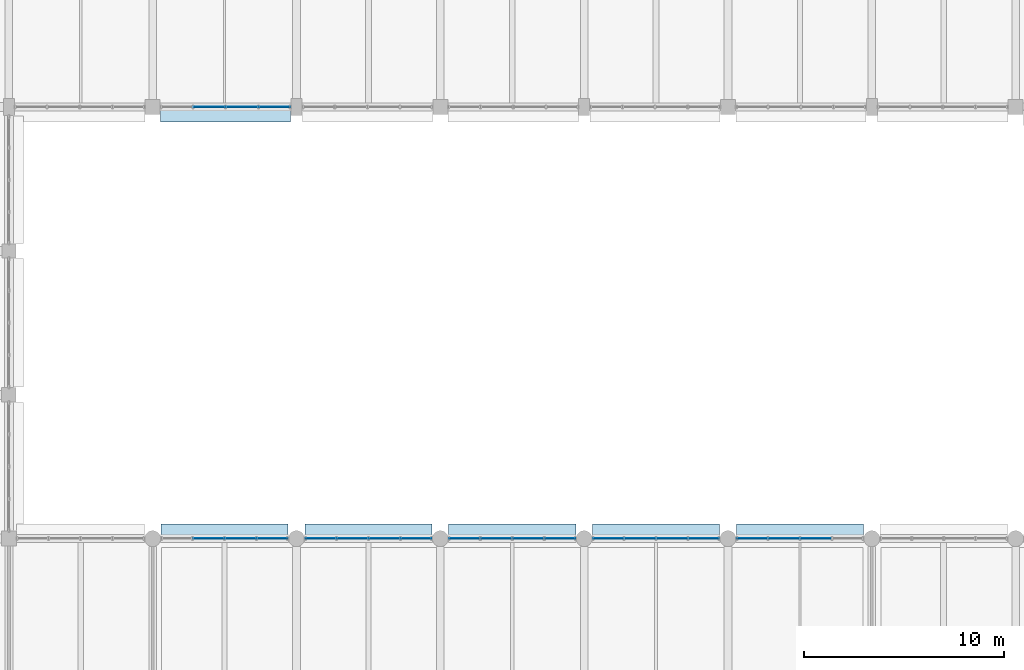
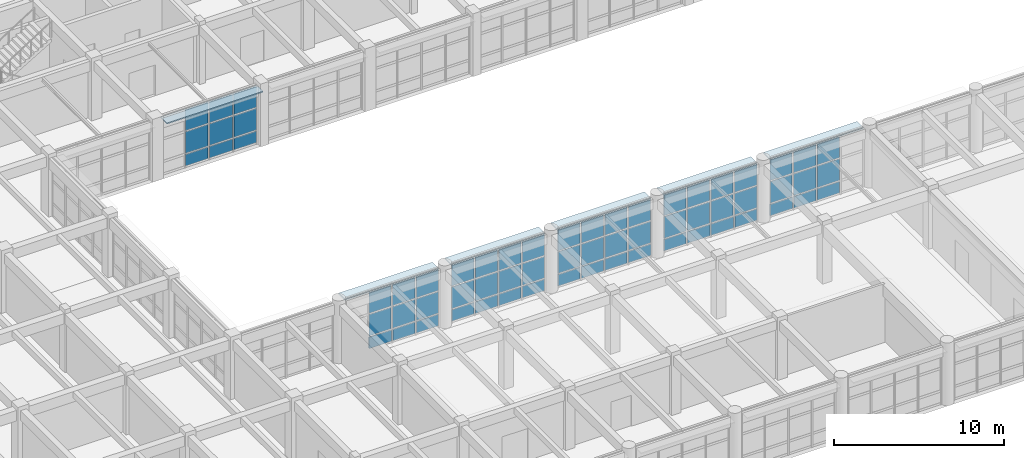
# One storey, part 131 of 171: 69 plates, 6 elements without a shape of their own.
"""IFC4 building model written with IfcOpenShell, lengths in metres."""

from ifc_helpers import new_model, si_unit, direction, frame, origin, origin_2d, place, context, subcontext, project, spatial, rectangle, extrude, material, layer, layer_set, type_object, element, aggregate, save


model = new_model("IFC4")

# Units and contexts
model_context = context("Model", 3, precision=1e-05, world=origin(), true_north=direction((0.0, 1.0)))
body_context = subcontext(model_context, "Body", "Model", "MODEL_VIEW")
ifc_project = project(units=[si_unit("LENGTHUNIT", "METRE"), si_unit("AREAUNIT", "SQUARE_METRE"), si_unit("VOLUMEUNIT", "CUBIC_METRE"), si_unit("PLANEANGLEUNIT", "RADIAN"), si_unit("MASSUNIT", "GRAM", prefix="KILO")], contexts=[model_context])

# Site, building, storey
site_placement = place(None, origin())
site = spatial("IfcSite", under=ifc_project, at=site_placement, CompositionType="ELEMENT")
building_placement = place(site_placement, origin())
building = spatial("IfcBuilding", under=site, at=building_placement, Name="Thalmaran Polytechnic", CompositionType="ELEMENT")
storey_placement = place(building_placement, frame((0.0, 0.0, 5.39990234375)))
storey = spatial("IfcBuildingStorey", under=building, at=storey_placement, Name="L01", CompositionType="ELEMENT", Elevation=5.39990234375)

# Plates
ifc_material_1 = material(Name="Anodised aluminium sun-hood eyebrow", Category="aluminium")
ifc_layer_1 = layer(ifc_material_1, 0.0849609375, Name="Anodised aluminium sun-hood eyebrow")
ifc_layer_set_1 = layer_set([ifc_layer_1], Name="Anodised aluminium sun-hood eyebrow")
plate_type_1 = type_object("IfcPlateType", Name="PT-EB01", PredefinedType="SHEET", material=ifc_layer_set_1)
plate_1_placement = place(storey_placement, frame((32.449951171875, 93.239990234375, 4.107666015625), z_axis=(0.0, 0.0, 1.0), x_axis=(-1.0, 0.0, 0.0)))
element("IfcPlate", 1, at=plate_1_placement, inside=storey, type_object=plate_type_1, Name="Streamline Sun-Hood Eyebrow L01-CW134", PredefinedType="SHEET", context=body_context, shape_type="SweptSolid", body=[
    extrude(rectangle(XDim=6.510009765625, YDim=0.760009765625, at=origin_2d()), origin(), (0.0, 0.0, 1.0), 0.0849609375),
])
for number, where, z_axis, x_axis, name in (
    (2, (32.39990234375, 72.360107421875, 4.107666015625), (0.0, 0.0, 1.0), (1.0, 0.0, 0.0), "Streamline Sun-Hood Eyebrow L01-CW140"),
    (3, (39.60009765625, 72.360107421875, 4.107666015625), (0.0, 0.0, 1.0), (1.0, 0.0, 0.0), "Streamline Sun-Hood Eyebrow L01-CW141"),
    (4, (46.800048828125, 72.360107421875, 4.107666015625), (0.0, 0.0, 1.0), (1.0, 0.0, 0.0), "Streamline Sun-Hood Eyebrow L01-CW142"),
    (5, (54.0, 72.360107421875, 4.107666015625), (0.0, 0.0, 1.0), (1.0, 0.0, 0.0), "Streamline Sun-Hood Eyebrow L01-CW143"),
    (6, (61.199951171875, 72.360107421875, 4.107666015625), (0.0, 0.0, 1.0), (1.0, 0.0, 0.0), "Streamline Sun-Hood Eyebrow L01-CW144"),
):
    element("IfcPlate", number, at=place(storey_placement, frame(where, z_axis=z_axis, x_axis=x_axis)), inside=storey, type_object=plate_type_1, Name=name, PredefinedType="SHEET", context=body_context, shape_type="SweptSolid", body=[
        extrude(rectangle(XDim=6.360107421875, YDim=0.760009765625, at=origin_2d()), origin(), (0.0, 0.0, 1.0), 0.0849609375),
    ])

# Curtain wall, plates
ifc_material_2 = material(Name="Aluminium 6063-T6", Category="aluminium")
curtain_wall_type_1 = type_object("IfcCurtainWallType", Name="CW-SC01", PredefinedType="USERDEFINED", material=ifc_material_2)
curtain_wall_1_placement = place(storey_placement, origin())
curtain_wall_1 = element("IfcCurtainWall", 7, at=curtain_wall_1_placement, inside=storey, type_object=curtain_wall_type_1, Name="Curtain Wall CW-L01-140", ObjectType="STICK CURTAIN WALL", PredefinedType="USERDEFINED")
ifc_material_3 = material(Name="Solar-control double low-E glass", Category="glass")
ifc_layer_2 = layer(ifc_material_3, 0.035888671875, Name="Solar-control double low-E glass")
ifc_layer_set_2 = layer_set([ifc_layer_2], Name="Solar-control double low-E glass")
plate_type_2 = type_object("IfcPlateType", Name="PT-GL01", PredefinedType="CURTAIN_PANEL", material=ifc_layer_set_2)
plate_2_placement = place(storey_placement, frame((31.60009765625, 72.0, 1.000244140625), z_axis=(0.0, 0.0, 1.0), x_axis=(1.0, 0.0, 0.0)))
plate_2 = element("IfcPlate", 8, at=plate_2_placement, type_object=plate_type_2, Name="CW-L01-140 Vision Panel 2-2", PredefinedType="CURTAIN_PANEL", context=body_context, shape_type="SweptSolid", body=[
    extrude(rectangle(XDim=1.5, YDim=0.035888671875, at=origin_2d()), origin(), (0.0, 0.0, 1.0), 1.544921875),
])
plate_3_placement = place(storey_placement, frame((31.60009765625, 72.0, 2.625), z_axis=(0.0, 0.0, 1.0), x_axis=(1.0, 0.0, 0.0)))
plate_3 = element("IfcPlate", 9, at=plate_3_placement, type_object=plate_type_2, Name="CW-L01-140 Vision Panel 2-3", PredefinedType="CURTAIN_PANEL", context=body_context, shape_type="SweptSolid", body=[
    extrude(rectangle(XDim=1.5, YDim=0.035888671875, at=origin_2d()), origin(), (0.0, 0.0, 1.0), 1.485107421875),
])
plate_4_placement = place(storey_placement, frame((33.199951171875, 72.0, 1.000244140625), z_axis=(0.0, 0.0, 1.0), x_axis=(1.0, 0.0, 0.0)))
plate_4 = element("IfcPlate", 10, at=plate_4_placement, type_object=plate_type_2, Name="CW-L01-140 Vision Panel 3-2", PredefinedType="CURTAIN_PANEL", context=body_context, shape_type="SweptSolid", body=[
    extrude(rectangle(XDim=1.5, YDim=0.035888671875, at=origin_2d()), origin(), (0.0, 0.0, 1.0), 1.544921875),
])
plate_5_placement = place(storey_placement, frame((33.199951171875, 72.0, 2.625), z_axis=(0.0, 0.0, 1.0), x_axis=(1.0, 0.0, 0.0)))
plate_5 = element("IfcPlate", 11, at=plate_5_placement, type_object=plate_type_2, Name="CW-L01-140 Vision Panel 3-3", PredefinedType="CURTAIN_PANEL", context=body_context, shape_type="SweptSolid", body=[
    extrude(rectangle(XDim=1.5, YDim=0.035888671875, at=origin_2d()), origin(), (0.0, 0.0, 1.0), 1.485107421875),
])
plate_6_placement = place(storey_placement, frame((34.800048828125, 72.0, 1.000244140625), z_axis=(0.0, 0.0, 1.0), x_axis=(1.0, 0.0, 0.0)))
plate_6 = element("IfcPlate", 12, at=plate_6_placement, type_object=plate_type_2, Name="CW-L01-140 Vision Panel 4-2", PredefinedType="CURTAIN_PANEL", context=body_context, shape_type="SweptSolid", body=[
    extrude(rectangle(XDim=1.5, YDim=0.035888671875, at=origin_2d()), origin(), (0.0, 0.0, 1.0), 1.544921875),
])
plate_7_placement = place(storey_placement, frame((34.800048828125, 72.0, 2.625), z_axis=(0.0, 0.0, 1.0), x_axis=(1.0, 0.0, 0.0)))
plate_7 = element("IfcPlate", 13, at=plate_7_placement, type_object=plate_type_2, Name="CW-L01-140 Vision Panel 4-3", PredefinedType="CURTAIN_PANEL", context=body_context, shape_type="SweptSolid", body=[
    extrude(rectangle(XDim=1.5, YDim=0.035888671875, at=origin_2d()), origin(), (0.0, 0.0, 1.0), 1.485107421875),
])

curtain_wall_2_placement = place(storey_placement, origin())
curtain_wall_2 = element("IfcCurtainWall", 14, at=curtain_wall_2_placement, inside=storey, type_object=curtain_wall_type_1, Name="Curtain Wall CW-L01-141", ObjectType="STICK CURTAIN WALL", PredefinedType="USERDEFINED")
ifc_layer_3 = layer(ifc_material_3, 0.035888671875, Name="Solar-control double low-E glass")
ifc_layer_set_3 = layer_set([ifc_layer_3], Name="Solar-control double low-E glass")
plate_type_3 = type_object("IfcPlateType", Name="PT-GL02", PredefinedType="CURTAIN_PANEL", material=ifc_layer_set_3)
plate_8_placement = place(storey_placement, frame((37.199951171875, 72.0, 1.000244140625), z_axis=(0.0, 0.0, 1.0), x_axis=(1.0, 0.0, 0.0)))
plate_8 = element("IfcPlate", 15, at=plate_8_placement, type_object=plate_type_3, Name="CW-L01-141 Vision Panel 1-2", PredefinedType="CURTAIN_PANEL", context=body_context, shape_type="SweptSolid", body=[
    extrude(rectangle(XDim=1.5, YDim=0.035888671875, at=origin_2d()), origin(), (0.0, 0.0, 1.0), 1.544921875),
])
plate_9_placement = place(storey_placement, frame((37.199951171875, 72.0, 2.625), z_axis=(0.0, 0.0, 1.0), x_axis=(1.0, 0.0, 0.0)))
plate_9 = element("IfcPlate", 16, at=plate_9_placement, type_object=plate_type_3, Name="CW-L01-141 Vision Panel 1-3", PredefinedType="CURTAIN_PANEL", context=body_context, shape_type="SweptSolid", body=[
    extrude(rectangle(XDim=1.5, YDim=0.035888671875, at=origin_2d()), origin(), (0.0, 0.0, 1.0), 1.485107421875),
])
plate_10_placement = place(storey_placement, frame((38.800048828125, 72.0, 1.000244140625), z_axis=(0.0, 0.0, 1.0), x_axis=(1.0, 0.0, 0.0)))
plate_10 = element("IfcPlate", 17, at=plate_10_placement, type_object=plate_type_3, Name="CW-L01-141 Vision Panel 2-2", PredefinedType="CURTAIN_PANEL", context=body_context, shape_type="SweptSolid", body=[
    extrude(rectangle(XDim=1.5, YDim=0.035888671875, at=origin_2d()), origin(), (0.0, 0.0, 1.0), 1.544921875),
])
plate_11_placement = place(storey_placement, frame((38.800048828125, 72.0, 2.625), z_axis=(0.0, 0.0, 1.0), x_axis=(1.0, 0.0, 0.0)))
plate_11 = element("IfcPlate", 18, at=plate_11_placement, type_object=plate_type_3, Name="CW-L01-141 Vision Panel 2-3", PredefinedType="CURTAIN_PANEL", context=body_context, shape_type="SweptSolid", body=[
    extrude(rectangle(XDim=1.5, YDim=0.035888671875, at=origin_2d()), origin(), (0.0, 0.0, 1.0), 1.485107421875),
])
plate_12_placement = place(storey_placement, frame((40.39990234375, 72.0, 1.000244140625), z_axis=(0.0, 0.0, 1.0), x_axis=(1.0, 0.0, 0.0)))
plate_12 = element("IfcPlate", 19, at=plate_12_placement, type_object=plate_type_3, Name="CW-L01-141 Vision Panel 3-2", PredefinedType="CURTAIN_PANEL", context=body_context, shape_type="SweptSolid", body=[
    extrude(rectangle(XDim=1.5, YDim=0.035888671875, at=origin_2d()), origin(), (0.0, 0.0, 1.0), 1.544921875),
])
plate_13_placement = place(storey_placement, frame((40.39990234375, 72.0, 2.625), z_axis=(0.0, 0.0, 1.0), x_axis=(1.0, 0.0, 0.0)))
plate_13 = element("IfcPlate", 20, at=plate_13_placement, type_object=plate_type_3, Name="CW-L01-141 Vision Panel 3-3", PredefinedType="CURTAIN_PANEL", context=body_context, shape_type="SweptSolid", body=[
    extrude(rectangle(XDim=1.5, YDim=0.035888671875, at=origin_2d()), origin(), (0.0, 0.0, 1.0), 1.485107421875),
])
plate_14_placement = place(storey_placement, frame((42.0, 72.0, 1.000244140625), z_axis=(0.0, 0.0, 1.0), x_axis=(1.0, 0.0, 0.0)))
plate_14 = element("IfcPlate", 21, at=plate_14_placement, type_object=plate_type_3, Name="CW-L01-141 Vision Panel 4-2", PredefinedType="CURTAIN_PANEL", context=body_context, shape_type="SweptSolid", body=[
    extrude(rectangle(XDim=1.5, YDim=0.035888671875, at=origin_2d()), origin(), (0.0, 0.0, 1.0), 1.544921875),
])
plate_15_placement = place(storey_placement, frame((42.0, 72.0, 2.625), z_axis=(0.0, 0.0, 1.0), x_axis=(1.0, 0.0, 0.0)))
plate_15 = element("IfcPlate", 22, at=plate_15_placement, type_object=plate_type_3, Name="CW-L01-141 Vision Panel 4-3", PredefinedType="CURTAIN_PANEL", context=body_context, shape_type="SweptSolid", body=[
    extrude(rectangle(XDim=1.5, YDim=0.035888671875, at=origin_2d()), origin(), (0.0, 0.0, 1.0), 1.485107421875),
])

curtain_wall_3_placement = place(storey_placement, origin())
curtain_wall_3 = element("IfcCurtainWall", 23, at=curtain_wall_3_placement, inside=storey, type_object=curtain_wall_type_1, Name="Curtain Wall CW-L01-142", ObjectType="STICK CURTAIN WALL", PredefinedType="USERDEFINED")
ifc_layer_4 = layer(ifc_material_3, 0.035888671875, Name="Solar-control double low-E glass")
ifc_layer_set_4 = layer_set([ifc_layer_4], Name="Solar-control double low-E glass")
plate_type_4 = type_object("IfcPlateType", Name="PT-GL03", PredefinedType="CURTAIN_PANEL", material=ifc_layer_set_4)
plate_16_placement = place(storey_placement, frame((44.39990234375, 72.0, 1.000244140625), z_axis=(0.0, 0.0, 1.0), x_axis=(1.0, 0.0, 0.0)))
plate_16 = element("IfcPlate", 24, at=plate_16_placement, type_object=plate_type_4, Name="CW-L01-142 Vision Panel 1-2", PredefinedType="CURTAIN_PANEL", context=body_context, shape_type="SweptSolid", body=[
    extrude(rectangle(XDim=1.5, YDim=0.035888671875, at=origin_2d()), origin(), (0.0, 0.0, 1.0), 1.544921875),
])
plate_17_placement = place(storey_placement, frame((44.39990234375, 72.0, 2.625), z_axis=(0.0, 0.0, 1.0), x_axis=(1.0, 0.0, 0.0)))
plate_17 = element("IfcPlate", 25, at=plate_17_placement, type_object=plate_type_4, Name="CW-L01-142 Vision Panel 1-3", PredefinedType="CURTAIN_PANEL", context=body_context, shape_type="SweptSolid", body=[
    extrude(rectangle(XDim=1.5, YDim=0.035888671875, at=origin_2d()), origin(), (0.0, 0.0, 1.0), 1.485107421875),
])
plate_18_placement = place(storey_placement, frame((46.0, 72.0, 1.000244140625), z_axis=(0.0, 0.0, 1.0), x_axis=(1.0, 0.0, 0.0)))
plate_18 = element("IfcPlate", 26, at=plate_18_placement, type_object=plate_type_4, Name="CW-L01-142 Vision Panel 2-2", PredefinedType="CURTAIN_PANEL", context=body_context, shape_type="SweptSolid", body=[
    extrude(rectangle(XDim=1.5, YDim=0.035888671875, at=origin_2d()), origin(), (0.0, 0.0, 1.0), 1.544921875),
])
plate_19_placement = place(storey_placement, frame((46.0, 72.0, 2.625), z_axis=(0.0, 0.0, 1.0), x_axis=(1.0, 0.0, 0.0)))
plate_19 = element("IfcPlate", 27, at=plate_19_placement, type_object=plate_type_4, Name="CW-L01-142 Vision Panel 2-3", PredefinedType="CURTAIN_PANEL", context=body_context, shape_type="SweptSolid", body=[
    extrude(rectangle(XDim=1.5, YDim=0.035888671875, at=origin_2d()), origin(), (0.0, 0.0, 1.0), 1.485107421875),
])
plate_20_placement = place(storey_placement, frame((47.60009765625, 72.0, 1.000244140625), z_axis=(0.0, 0.0, 1.0), x_axis=(1.0, 0.0, 0.0)))
plate_20 = element("IfcPlate", 28, at=plate_20_placement, type_object=plate_type_4, Name="CW-L01-142 Vision Panel 3-2", PredefinedType="CURTAIN_PANEL", context=body_context, shape_type="SweptSolid", body=[
    extrude(rectangle(XDim=1.5, YDim=0.035888671875, at=origin_2d()), origin(), (0.0, 0.0, 1.0), 1.544921875),
])
plate_21_placement = place(storey_placement, frame((47.60009765625, 72.0, 2.625), z_axis=(0.0, 0.0, 1.0), x_axis=(1.0, 0.0, 0.0)))
plate_21 = element("IfcPlate", 29, at=plate_21_placement, type_object=plate_type_4, Name="CW-L01-142 Vision Panel 3-3", PredefinedType="CURTAIN_PANEL", context=body_context, shape_type="SweptSolid", body=[
    extrude(rectangle(XDim=1.5, YDim=0.035888671875, at=origin_2d()), origin(), (0.0, 0.0, 1.0), 1.485107421875),
])
plate_22_placement = place(storey_placement, frame((49.199951171875, 72.0, 1.000244140625), z_axis=(0.0, 0.0, 1.0), x_axis=(1.0, 0.0, 0.0)))
plate_22 = element("IfcPlate", 30, at=plate_22_placement, type_object=plate_type_4, Name="CW-L01-142 Vision Panel 4-2", PredefinedType="CURTAIN_PANEL", context=body_context, shape_type="SweptSolid", body=[
    extrude(rectangle(XDim=1.5, YDim=0.035888671875, at=origin_2d()), origin(), (0.0, 0.0, 1.0), 1.544921875),
])
plate_23_placement = place(storey_placement, frame((49.199951171875, 72.0, 2.625), z_axis=(0.0, 0.0, 1.0), x_axis=(1.0, 0.0, 0.0)))
plate_23 = element("IfcPlate", 31, at=plate_23_placement, type_object=plate_type_4, Name="CW-L01-142 Vision Panel 4-3", PredefinedType="CURTAIN_PANEL", context=body_context, shape_type="SweptSolid", body=[
    extrude(rectangle(XDim=1.5, YDim=0.035888671875, at=origin_2d()), origin(), (0.0, 0.0, 1.0), 1.485107421875),
])

curtain_wall_4_placement = place(storey_placement, origin())
curtain_wall_4 = element("IfcCurtainWall", 32, at=curtain_wall_4_placement, inside=storey, type_object=curtain_wall_type_1, Name="Curtain Wall CW-L01-143", ObjectType="STICK CURTAIN WALL", PredefinedType="USERDEFINED")
ifc_layer_5 = layer(ifc_material_3, 0.035888671875, Name="Solar-control double low-E glass")
ifc_layer_set_5 = layer_set([ifc_layer_5], Name="Solar-control double low-E glass")
plate_type_5 = type_object("IfcPlateType", Name="PT-GL04", PredefinedType="CURTAIN_PANEL", material=ifc_layer_set_5)
plate_24_placement = place(storey_placement, frame((51.60009765625, 72.0, 1.000244140625), z_axis=(0.0, 0.0, 1.0), x_axis=(1.0, 0.0, 0.0)))
plate_24 = element("IfcPlate", 33, at=plate_24_placement, type_object=plate_type_5, Name="CW-L01-143 Vision Panel 1-2", PredefinedType="CURTAIN_PANEL", context=body_context, shape_type="SweptSolid", body=[
    extrude(rectangle(XDim=1.5, YDim=0.035888671875, at=origin_2d()), origin(), (0.0, 0.0, 1.0), 1.544921875),
])
plate_25_placement = place(storey_placement, frame((51.60009765625, 72.0, 2.625), z_axis=(0.0, 0.0, 1.0), x_axis=(1.0, 0.0, 0.0)))
plate_25 = element("IfcPlate", 34, at=plate_25_placement, type_object=plate_type_5, Name="CW-L01-143 Vision Panel 1-3", PredefinedType="CURTAIN_PANEL", context=body_context, shape_type="SweptSolid", body=[
    extrude(rectangle(XDim=1.5, YDim=0.035888671875, at=origin_2d()), origin(), (0.0, 0.0, 1.0), 1.485107421875),
])
plate_26_placement = place(storey_placement, frame((53.199951171875, 72.0, 1.000244140625), z_axis=(0.0, 0.0, 1.0), x_axis=(1.0, 0.0, 0.0)))
plate_26 = element("IfcPlate", 35, at=plate_26_placement, type_object=plate_type_5, Name="CW-L01-143 Vision Panel 2-2", PredefinedType="CURTAIN_PANEL", context=body_context, shape_type="SweptSolid", body=[
    extrude(rectangle(XDim=1.5, YDim=0.035888671875, at=origin_2d()), origin(), (0.0, 0.0, 1.0), 1.544921875),
])
plate_27_placement = place(storey_placement, frame((53.199951171875, 72.0, 2.625), z_axis=(0.0, 0.0, 1.0), x_axis=(1.0, 0.0, 0.0)))
plate_27 = element("IfcPlate", 36, at=plate_27_placement, type_object=plate_type_5, Name="CW-L01-143 Vision Panel 2-3", PredefinedType="CURTAIN_PANEL", context=body_context, shape_type="SweptSolid", body=[
    extrude(rectangle(XDim=1.5, YDim=0.035888671875, at=origin_2d()), origin(), (0.0, 0.0, 1.0), 1.485107421875),
])
plate_28_placement = place(storey_placement, frame((54.800048828125, 72.0, 1.000244140625), z_axis=(0.0, 0.0, 1.0), x_axis=(1.0, 0.0, 0.0)))
plate_28 = element("IfcPlate", 37, at=plate_28_placement, type_object=plate_type_5, Name="CW-L01-143 Vision Panel 3-2", PredefinedType="CURTAIN_PANEL", context=body_context, shape_type="SweptSolid", body=[
    extrude(rectangle(XDim=1.5, YDim=0.035888671875, at=origin_2d()), origin(), (0.0, 0.0, 1.0), 1.544921875),
])
plate_29_placement = place(storey_placement, frame((54.800048828125, 72.0, 2.625), z_axis=(0.0, 0.0, 1.0), x_axis=(1.0, 0.0, 0.0)))
plate_29 = element("IfcPlate", 38, at=plate_29_placement, type_object=plate_type_5, Name="CW-L01-143 Vision Panel 3-3", PredefinedType="CURTAIN_PANEL", context=body_context, shape_type="SweptSolid", body=[
    extrude(rectangle(XDim=1.5, YDim=0.035888671875, at=origin_2d()), origin(), (0.0, 0.0, 1.0), 1.485107421875),
])
plate_30_placement = place(storey_placement, frame((56.39990234375, 72.0, 1.000244140625), z_axis=(0.0, 0.0, 1.0), x_axis=(1.0, 0.0, 0.0)))
plate_30 = element("IfcPlate", 39, at=plate_30_placement, type_object=plate_type_5, Name="CW-L01-143 Vision Panel 4-2", PredefinedType="CURTAIN_PANEL", context=body_context, shape_type="SweptSolid", body=[
    extrude(rectangle(XDim=1.5, YDim=0.035888671875, at=origin_2d()), origin(), (0.0, 0.0, 1.0), 1.544921875),
])
plate_31_placement = place(storey_placement, frame((56.39990234375, 72.0, 2.625), z_axis=(0.0, 0.0, 1.0), x_axis=(1.0, 0.0, 0.0)))
plate_31 = element("IfcPlate", 40, at=plate_31_placement, type_object=plate_type_5, Name="CW-L01-143 Vision Panel 4-3", PredefinedType="CURTAIN_PANEL", context=body_context, shape_type="SweptSolid", body=[
    extrude(rectangle(XDim=1.5, YDim=0.035888671875, at=origin_2d()), origin(), (0.0, 0.0, 1.0), 1.485107421875),
])

curtain_wall_type_2 = type_object("IfcCurtainWallType", Name="CW-UC02", PredefinedType="USERDEFINED", material=ifc_material_2)
curtain_wall_5_placement = place(storey_placement, origin())
curtain_wall_5 = element("IfcCurtainWall", 41, at=curtain_wall_5_placement, inside=storey, type_object=curtain_wall_type_2, Name="Curtain Wall CW-L01-134", ObjectType="UNITISED CURTAIN WALL", PredefinedType="USERDEFINED")
ifc_layer_6 = layer(ifc_material_3, 0.035888671875, Name="Solar-control double low-E glass")
ifc_layer_set_6 = layer_set([ifc_layer_6], Name="Solar-control double low-E glass")
plate_type_6 = type_object("IfcPlateType", Name="PT-GL05", PredefinedType="CURTAIN_PANEL", material=ifc_layer_set_6)
plate_32_placement = place(storey_placement, frame((34.90625, 93.60009765625, 1.000244140625), z_axis=(0.0, 0.0, 1.0), x_axis=(-1.0, 0.0, 0.0)))
plate_32 = element("IfcPlate", 42, at=plate_32_placement, type_object=plate_type_6, Name="CW-L01-134 Vision Panel 1-2", PredefinedType="CURTAIN_PANEL", context=body_context, shape_type="SweptSolid", body=[
    extrude(rectangle(XDim=1.53759765625, YDim=0.035888671875, at=origin_2d()), origin(), (0.0, 0.0, 1.0), 1.544921875),
])
plate_33_placement = place(storey_placement, frame((34.90625, 93.60009765625, 2.625), z_axis=(0.0, 0.0, 1.0), x_axis=(-1.0, 0.0, 0.0)))
plate_33 = element("IfcPlate", 43, at=plate_33_placement, type_object=plate_type_6, Name="CW-L01-134 Vision Panel 1-3", PredefinedType="CURTAIN_PANEL", context=body_context, shape_type="SweptSolid", body=[
    extrude(rectangle(XDim=1.53759765625, YDim=0.035888671875, at=origin_2d()), origin(), (0.0, 0.0, 1.0), 1.485107421875),
])
plate_34_placement = place(storey_placement, frame((33.268798828125, 93.60009765625, 1.000244140625), z_axis=(0.0, 0.0, 1.0), x_axis=(-1.0, 0.0, 0.0)))
plate_34 = element("IfcPlate", 44, at=plate_34_placement, type_object=plate_type_6, Name="CW-L01-134 Vision Panel 2-2", PredefinedType="CURTAIN_PANEL", context=body_context, shape_type="SweptSolid", body=[
    extrude(rectangle(XDim=1.53759765625, YDim=0.035888671875, at=origin_2d()), origin(), (0.0, 0.0, 1.0), 1.544921875),
])
plate_35_placement = place(storey_placement, frame((33.268798828125, 93.60009765625, 2.625), z_axis=(0.0, 0.0, 1.0), x_axis=(-1.0, 0.0, 0.0)))
plate_35 = element("IfcPlate", 45, at=plate_35_placement, type_object=plate_type_6, Name="CW-L01-134 Vision Panel 2-3", PredefinedType="CURTAIN_PANEL", context=body_context, shape_type="SweptSolid", body=[
    extrude(rectangle(XDim=1.53759765625, YDim=0.035888671875, at=origin_2d()), origin(), (0.0, 0.0, 1.0), 1.485107421875),
])
plate_36_placement = place(storey_placement, frame((31.63134765625, 93.60009765625, 1.000244140625), z_axis=(0.0, 0.0, 1.0), x_axis=(-1.0, 0.0, 0.0)))
plate_36 = element("IfcPlate", 46, at=plate_36_placement, type_object=plate_type_6, Name="CW-L01-134 Vision Panel 3-2", PredefinedType="CURTAIN_PANEL", context=body_context, shape_type="SweptSolid", body=[
    extrude(rectangle(XDim=1.53759765625, YDim=0.035888671875, at=origin_2d()), origin(), (0.0, 0.0, 1.0), 1.544921875),
])
plate_37_placement = place(storey_placement, frame((31.63134765625, 93.60009765625, 2.625), z_axis=(0.0, 0.0, 1.0), x_axis=(-1.0, 0.0, 0.0)))
plate_37 = element("IfcPlate", 47, at=plate_37_placement, type_object=plate_type_6, Name="CW-L01-134 Vision Panel 3-3", PredefinedType="CURTAIN_PANEL", context=body_context, shape_type="SweptSolid", body=[
    extrude(rectangle(XDim=1.53759765625, YDim=0.035888671875, at=origin_2d()), origin(), (0.0, 0.0, 1.0), 1.485107421875),
])

curtain_wall_6_placement = place(storey_placement, origin())
curtain_wall_6 = element("IfcCurtainWall", 48, at=curtain_wall_6_placement, inside=storey, type_object=curtain_wall_type_1, Name="Curtain Wall CW-L01-144", ObjectType="STICK CURTAIN WALL", PredefinedType="USERDEFINED")
plate_38_placement = place(storey_placement, frame((58.800048828125, 72.0, 1.000244140625), z_axis=(0.0, 0.0, 1.0), x_axis=(1.0, 0.0, 0.0)))
plate_38 = element("IfcPlate", 49, at=plate_38_placement, type_object=plate_type_6, Name="CW-L01-144 Vision Panel 1-2", PredefinedType="CURTAIN_PANEL", context=body_context, shape_type="SweptSolid", body=[
    extrude(rectangle(XDim=1.5, YDim=0.035888671875, at=origin_2d()), origin(), (0.0, 0.0, 1.0), 1.544921875),
])
plate_39_placement = place(storey_placement, frame((58.800048828125, 72.0, 2.625), z_axis=(0.0, 0.0, 1.0), x_axis=(1.0, 0.0, 0.0)))
plate_39 = element("IfcPlate", 50, at=plate_39_placement, type_object=plate_type_6, Name="CW-L01-144 Vision Panel 1-3", PredefinedType="CURTAIN_PANEL", context=body_context, shape_type="SweptSolid", body=[
    extrude(rectangle(XDim=1.5, YDim=0.035888671875, at=origin_2d()), origin(), (0.0, 0.0, 1.0), 1.485107421875),
])
plate_40_placement = place(storey_placement, frame((60.39990234375, 72.0, 1.000244140625), z_axis=(0.0, 0.0, 1.0), x_axis=(1.0, 0.0, 0.0)))
plate_40 = element("IfcPlate", 51, at=plate_40_placement, type_object=plate_type_6, Name="CW-L01-144 Vision Panel 2-2", PredefinedType="CURTAIN_PANEL", context=body_context, shape_type="SweptSolid", body=[
    extrude(rectangle(XDim=1.5, YDim=0.035888671875, at=origin_2d()), origin(), (0.0, 0.0, 1.0), 1.544921875),
])
plate_41_placement = place(storey_placement, frame((60.39990234375, 72.0, 2.625), z_axis=(0.0, 0.0, 1.0), x_axis=(1.0, 0.0, 0.0)))
plate_41 = element("IfcPlate", 52, at=plate_41_placement, type_object=plate_type_6, Name="CW-L01-144 Vision Panel 2-3", PredefinedType="CURTAIN_PANEL", context=body_context, shape_type="SweptSolid", body=[
    extrude(rectangle(XDim=1.5, YDim=0.035888671875, at=origin_2d()), origin(), (0.0, 0.0, 1.0), 1.485107421875),
])
plate_42_placement = place(storey_placement, frame((62.0, 72.0, 1.000244140625), z_axis=(0.0, 0.0, 1.0), x_axis=(1.0, 0.0, 0.0)))
plate_42 = element("IfcPlate", 53, at=plate_42_placement, type_object=plate_type_6, Name="CW-L01-144 Vision Panel 3-2", PredefinedType="CURTAIN_PANEL", context=body_context, shape_type="SweptSolid", body=[
    extrude(rectangle(XDim=1.5, YDim=0.035888671875, at=origin_2d()), origin(), (0.0, 0.0, 1.0), 1.544921875),
])
plate_43_placement = place(storey_placement, frame((62.0, 72.0, 2.625), z_axis=(0.0, 0.0, 1.0), x_axis=(1.0, 0.0, 0.0)))
plate_43 = element("IfcPlate", 54, at=plate_43_placement, type_object=plate_type_6, Name="CW-L01-144 Vision Panel 3-3", PredefinedType="CURTAIN_PANEL", context=body_context, shape_type="SweptSolid", body=[
    extrude(rectangle(XDim=1.5, YDim=0.035888671875, at=origin_2d()), origin(), (0.0, 0.0, 1.0), 1.485107421875),
])

# Plate
ifc_material_4 = material(Name="Insulated anodised aluminium spandrel", Category="aluminium")
ifc_layer_7 = layer(ifc_material_4, 0.06005859375, Name="Insulated anodised aluminium spandrel")
ifc_layer_set_7 = layer_set([ifc_layer_7], Name="Insulated anodised aluminium spandrel")
plate_type_7 = type_object("IfcPlateType", Name="PT-SP01", PredefinedType="CURTAIN_PANEL", material=ifc_layer_set_7)
plate_44_placement = place(storey_placement, frame((37.199951171875, 72.0, 0.10009765625), z_axis=(0.0, 0.0, 1.0), x_axis=(1.0, 0.0, 0.0)))
plate_44 = element("IfcPlate", 55, at=plate_44_placement, type_object=plate_type_7, Name="CW-L01-141 Spandrel Panel 1-1", PredefinedType="CURTAIN_PANEL", context=body_context, shape_type="SweptSolid", body=[
    extrude(rectangle(XDim=1.5, YDim=0.06005859375, at=origin_2d()), origin(), (0.0, 0.0, 1.0), 0.820068359375),
])

plate_45_placement = place(storey_placement, frame((38.800048828125, 72.0, 0.10009765625), z_axis=(0.0, 0.0, 1.0), x_axis=(1.0, 0.0, 0.0)))
plate_45 = element("IfcPlate", 56, at=plate_45_placement, type_object=plate_type_7, Name="CW-L01-141 Spandrel Panel 2-1", PredefinedType="CURTAIN_PANEL", context=body_context, shape_type="SweptSolid", body=[
    extrude(rectangle(XDim=1.5, YDim=0.06005859375, at=origin_2d()), origin(), (0.0, 0.0, 1.0), 0.820068359375),
])

plate_46_placement = place(storey_placement, frame((40.39990234375, 72.0, 0.10009765625), z_axis=(0.0, 0.0, 1.0), x_axis=(1.0, 0.0, 0.0)))
plate_46 = element("IfcPlate", 57, at=plate_46_placement, type_object=plate_type_7, Name="CW-L01-141 Spandrel Panel 3-1", PredefinedType="CURTAIN_PANEL", context=body_context, shape_type="SweptSolid", body=[
    extrude(rectangle(XDim=1.5, YDim=0.06005859375, at=origin_2d()), origin(), (0.0, 0.0, 1.0), 0.820068359375),
])

plate_47_placement = place(storey_placement, frame((42.0, 72.0, 0.10009765625), z_axis=(0.0, 0.0, 1.0), x_axis=(1.0, 0.0, 0.0)))
plate_47 = element("IfcPlate", 58, at=plate_47_placement, type_object=plate_type_7, Name="CW-L01-141 Spandrel Panel 4-1", PredefinedType="CURTAIN_PANEL", context=body_context, shape_type="SweptSolid", body=[
    extrude(rectangle(XDim=1.5, YDim=0.06005859375, at=origin_2d()), origin(), (0.0, 0.0, 1.0), 0.820068359375),
])

aggregate(curtain_wall_2, [plate_44, plate_8, plate_9, plate_45, plate_10, plate_11, plate_46, plate_12, plate_13, plate_47, plate_14, plate_15])

plate_48_placement = place(storey_placement, frame((58.800048828125, 72.0, 0.10009765625), z_axis=(0.0, 0.0, 1.0), x_axis=(1.0, 0.0, 0.0)))
plate_48 = element("IfcPlate", 59, at=plate_48_placement, type_object=plate_type_7, Name="CW-L01-144 Spandrel Panel 1-1", PredefinedType="CURTAIN_PANEL", context=body_context, shape_type="SweptSolid", body=[
    extrude(rectangle(XDim=1.5, YDim=0.06005859375, at=origin_2d()), origin(), (0.0, 0.0, 1.0), 0.820068359375),
])

plate_49_placement = place(storey_placement, frame((60.39990234375, 72.0, 0.10009765625), z_axis=(0.0, 0.0, 1.0), x_axis=(1.0, 0.0, 0.0)))
plate_49 = element("IfcPlate", 60, at=plate_49_placement, type_object=plate_type_7, Name="CW-L01-144 Spandrel Panel 2-1", PredefinedType="CURTAIN_PANEL", context=body_context, shape_type="SweptSolid", body=[
    extrude(rectangle(XDim=1.5, YDim=0.06005859375, at=origin_2d()), origin(), (0.0, 0.0, 1.0), 0.820068359375),
])

plate_50_placement = place(storey_placement, frame((62.0, 72.0, 0.10009765625), z_axis=(0.0, 0.0, 1.0), x_axis=(1.0, 0.0, 0.0)))
plate_50 = element("IfcPlate", 61, at=plate_50_placement, type_object=plate_type_7, Name="CW-L01-144 Spandrel Panel 3-1", PredefinedType="CURTAIN_PANEL", context=body_context, shape_type="SweptSolid", body=[
    extrude(rectangle(XDim=1.5, YDim=0.06005859375, at=origin_2d()), origin(), (0.0, 0.0, 1.0), 0.820068359375),
])

aggregate(curtain_wall_6, [plate_48, plate_38, plate_39, plate_49, plate_40, plate_41, plate_50, plate_42, plate_43])

ifc_layer_8 = layer(ifc_material_4, 0.06005859375, Name="Insulated anodised aluminium spandrel")
ifc_layer_set_8 = layer_set([ifc_layer_8], Name="Insulated anodised aluminium spandrel")
plate_type_8 = type_object("IfcPlateType", Name="PT-SP02", PredefinedType="CURTAIN_PANEL", material=ifc_layer_set_8)
plate_51_placement = place(storey_placement, frame((44.39990234375, 72.0, 0.10009765625), z_axis=(0.0, 0.0, 1.0), x_axis=(1.0, 0.0, 0.0)))
plate_51 = element("IfcPlate", 62, at=plate_51_placement, type_object=plate_type_8, Name="CW-L01-142 Spandrel Panel 1-1", PredefinedType="CURTAIN_PANEL", context=body_context, shape_type="SweptSolid", body=[
    extrude(rectangle(XDim=1.5, YDim=0.06005859375, at=origin_2d()), origin(), (0.0, 0.0, 1.0), 0.820068359375),
])

plate_52_placement = place(storey_placement, frame((46.0, 72.0, 0.10009765625), z_axis=(0.0, 0.0, 1.0), x_axis=(1.0, 0.0, 0.0)))
plate_52 = element("IfcPlate", 63, at=plate_52_placement, type_object=plate_type_8, Name="CW-L01-142 Spandrel Panel 2-1", PredefinedType="CURTAIN_PANEL", context=body_context, shape_type="SweptSolid", body=[
    extrude(rectangle(XDim=1.5, YDim=0.06005859375, at=origin_2d()), origin(), (0.0, 0.0, 1.0), 0.820068359375),
])

plate_53_placement = place(storey_placement, frame((47.60009765625, 72.0, 0.10009765625), z_axis=(0.0, 0.0, 1.0), x_axis=(1.0, 0.0, 0.0)))
plate_53 = element("IfcPlate", 64, at=plate_53_placement, type_object=plate_type_8, Name="CW-L01-142 Spandrel Panel 3-1", PredefinedType="CURTAIN_PANEL", context=body_context, shape_type="SweptSolid", body=[
    extrude(rectangle(XDim=1.5, YDim=0.06005859375, at=origin_2d()), origin(), (0.0, 0.0, 1.0), 0.820068359375),
])

plate_54_placement = place(storey_placement, frame((49.199951171875, 72.0, 0.10009765625), z_axis=(0.0, 0.0, 1.0), x_axis=(1.0, 0.0, 0.0)))
plate_54 = element("IfcPlate", 65, at=plate_54_placement, type_object=plate_type_8, Name="CW-L01-142 Spandrel Panel 4-1", PredefinedType="CURTAIN_PANEL", context=body_context, shape_type="SweptSolid", body=[
    extrude(rectangle(XDim=1.5, YDim=0.06005859375, at=origin_2d()), origin(), (0.0, 0.0, 1.0), 0.820068359375),
])

aggregate(curtain_wall_3, [plate_51, plate_16, plate_17, plate_52, plate_18, plate_19, plate_53, plate_20, plate_21, plate_54, plate_22, plate_23])

ifc_layer_9 = layer(ifc_material_4, 0.06005859375, Name="Insulated anodised aluminium spandrel")
ifc_layer_set_9 = layer_set([ifc_layer_9], Name="Insulated anodised aluminium spandrel")
plate_type_9 = type_object("IfcPlateType", Name="PT-SP03", PredefinedType="CURTAIN_PANEL", material=ifc_layer_set_9)
plate_55_placement = place(storey_placement, frame((34.90625, 93.60009765625, 0.10009765625), z_axis=(0.0, 0.0, 1.0), x_axis=(-1.0, 0.0, 0.0)))
plate_55 = element("IfcPlate", 66, at=plate_55_placement, type_object=plate_type_9, Name="CW-L01-134 Spandrel Panel 1-1", PredefinedType="CURTAIN_PANEL", context=body_context, shape_type="SweptSolid", body=[
    extrude(rectangle(XDim=1.53759765625, YDim=0.06005859375, at=origin_2d()), origin(), (0.0, 0.0, 1.0), 0.820068359375),
])

plate_56_placement = place(storey_placement, frame((33.268798828125, 93.60009765625, 0.10009765625), z_axis=(0.0, 0.0, 1.0), x_axis=(-1.0, 0.0, 0.0)))
plate_56 = element("IfcPlate", 67, at=plate_56_placement, type_object=plate_type_9, Name="CW-L01-134 Spandrel Panel 2-1", PredefinedType="CURTAIN_PANEL", context=body_context, shape_type="SweptSolid", body=[
    extrude(rectangle(XDim=1.53759765625, YDim=0.06005859375, at=origin_2d()), origin(), (0.0, 0.0, 1.0), 0.820068359375),
])

plate_57_placement = place(storey_placement, frame((31.63134765625, 93.60009765625, 0.10009765625), z_axis=(0.0, 0.0, 1.0), x_axis=(-1.0, 0.0, 0.0)))
plate_57 = element("IfcPlate", 68, at=plate_57_placement, type_object=plate_type_9, Name="CW-L01-134 Spandrel Panel 3-1", PredefinedType="CURTAIN_PANEL", context=body_context, shape_type="SweptSolid", body=[
    extrude(rectangle(XDim=1.53759765625, YDim=0.06005859375, at=origin_2d()), origin(), (0.0, 0.0, 1.0), 0.820068359375),
])

aggregate(curtain_wall_5, [plate_55, plate_32, plate_33, plate_56, plate_34, plate_35, plate_57, plate_36, plate_37])

plate_58_placement = place(storey_placement, frame((31.60009765625, 72.0, 0.10009765625), z_axis=(0.0, 0.0, 1.0), x_axis=(1.0, 0.0, 0.0)))
plate_58 = element("IfcPlate", 69, at=plate_58_placement, type_object=plate_type_9, Name="CW-L01-140 Spandrel Panel 2-1", PredefinedType="CURTAIN_PANEL", context=body_context, shape_type="SweptSolid", body=[
    extrude(rectangle(XDim=1.5, YDim=0.06005859375, at=origin_2d()), origin(), (0.0, 0.0, 1.0), 0.820068359375),
])

plate_59_placement = place(storey_placement, frame((33.199951171875, 72.0, 0.10009765625), z_axis=(0.0, 0.0, 1.0), x_axis=(1.0, 0.0, 0.0)))
plate_59 = element("IfcPlate", 70, at=plate_59_placement, type_object=plate_type_9, Name="CW-L01-140 Spandrel Panel 3-1", PredefinedType="CURTAIN_PANEL", context=body_context, shape_type="SweptSolid", body=[
    extrude(rectangle(XDim=1.5, YDim=0.06005859375, at=origin_2d()), origin(), (0.0, 0.0, 1.0), 0.820068359375),
])

plate_60_placement = place(storey_placement, frame((34.800048828125, 72.0, 0.10009765625), z_axis=(0.0, 0.0, 1.0), x_axis=(1.0, 0.0, 0.0)))
plate_60 = element("IfcPlate", 71, at=plate_60_placement, type_object=plate_type_9, Name="CW-L01-140 Spandrel Panel 4-1", PredefinedType="CURTAIN_PANEL", context=body_context, shape_type="SweptSolid", body=[
    extrude(rectangle(XDim=1.5, YDim=0.06005859375, at=origin_2d()), origin(), (0.0, 0.0, 1.0), 0.820068359375),
])

aggregate(curtain_wall_1, [plate_58, plate_2, plate_3, plate_59, plate_4, plate_5, plate_60, plate_6, plate_7])

plate_61_placement = place(storey_placement, frame((51.60009765625, 72.0, 0.10009765625), z_axis=(0.0, 0.0, 1.0), x_axis=(1.0, 0.0, 0.0)))
plate_61 = element("IfcPlate", 72, at=plate_61_placement, type_object=plate_type_9, Name="CW-L01-143 Spandrel Panel 1-1", PredefinedType="CURTAIN_PANEL", context=body_context, shape_type="SweptSolid", body=[
    extrude(rectangle(XDim=1.5, YDim=0.06005859375, at=origin_2d()), origin(), (0.0, 0.0, 1.0), 0.820068359375),
])

plate_62_placement = place(storey_placement, frame((53.199951171875, 72.0, 0.10009765625), z_axis=(0.0, 0.0, 1.0), x_axis=(1.0, 0.0, 0.0)))
plate_62 = element("IfcPlate", 73, at=plate_62_placement, type_object=plate_type_9, Name="CW-L01-143 Spandrel Panel 2-1", PredefinedType="CURTAIN_PANEL", context=body_context, shape_type="SweptSolid", body=[
    extrude(rectangle(XDim=1.5, YDim=0.06005859375, at=origin_2d()), origin(), (0.0, 0.0, 1.0), 0.820068359375),
])

plate_63_placement = place(storey_placement, frame((54.800048828125, 72.0, 0.10009765625), z_axis=(0.0, 0.0, 1.0), x_axis=(1.0, 0.0, 0.0)))
plate_63 = element("IfcPlate", 74, at=plate_63_placement, type_object=plate_type_9, Name="CW-L01-143 Spandrel Panel 3-1", PredefinedType="CURTAIN_PANEL", context=body_context, shape_type="SweptSolid", body=[
    extrude(rectangle(XDim=1.5, YDim=0.06005859375, at=origin_2d()), origin(), (0.0, 0.0, 1.0), 0.820068359375),
])

plate_64_placement = place(storey_placement, frame((56.39990234375, 72.0, 0.10009765625), z_axis=(0.0, 0.0, 1.0), x_axis=(1.0, 0.0, 0.0)))
plate_64 = element("IfcPlate", 75, at=plate_64_placement, type_object=plate_type_9, Name="CW-L01-143 Spandrel Panel 4-1", PredefinedType="CURTAIN_PANEL", context=body_context, shape_type="SweptSolid", body=[
    extrude(rectangle(XDim=1.5, YDim=0.06005859375, at=origin_2d()), origin(), (0.0, 0.0, 1.0), 0.820068359375),
])

aggregate(curtain_wall_4, [plate_61, plate_24, plate_25, plate_62, plate_26, plate_27, plate_63, plate_28, plate_29, plate_64, plate_30, plate_31])

save(model, "model.ifc")
